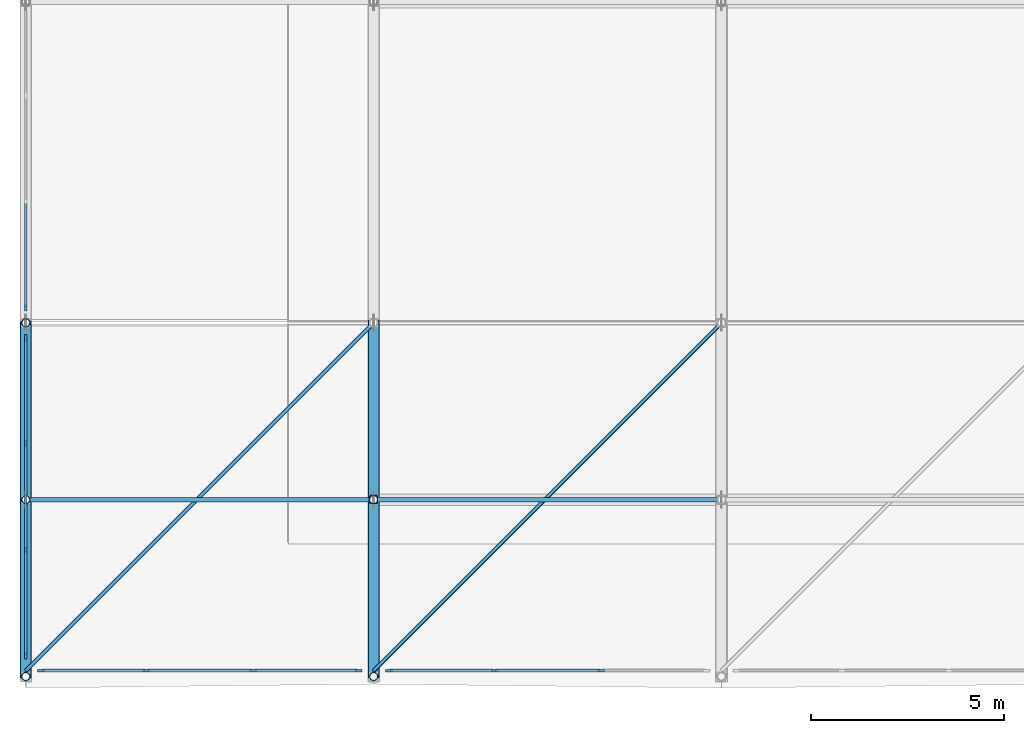
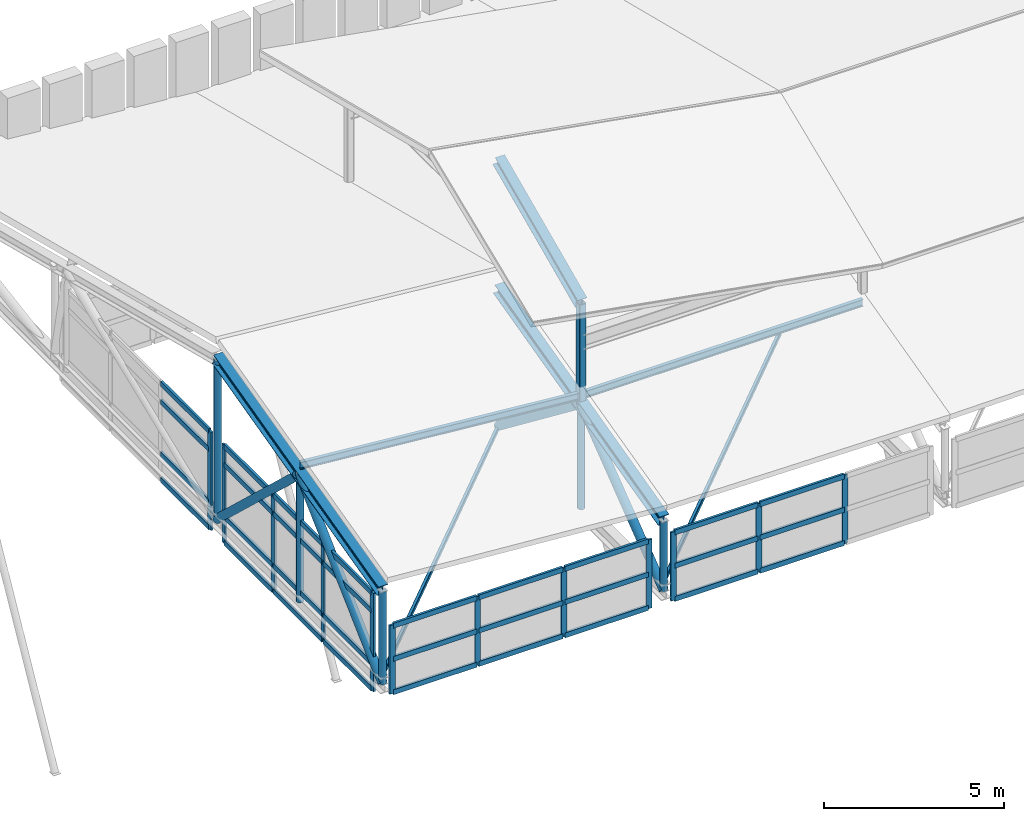
# One storey, part 1 of 42: 60 members, 4 elements without a shape of their own.
"""IFC4 building model written with IfcOpenShell, lengths in metres."""

from ifc_helpers import new_model, si_unit, direction, frame, origin, origin_2d, place, context, subcontext, project, spatial, rectangle, hollow_rectangle, hollow_circle, i_section, extrude, material, material_profile, profile_set, type_object, element, aggregate, save


model = new_model("IFC4")

# Units and contexts
model_context = context("Model", 3, precision=1e-05, world=origin(), true_north=direction((0.0, 1.0)))
body_context = subcontext(model_context, "Body", "Model", "MODEL_VIEW")
ifc_project = project(units=[si_unit("LENGTHUNIT", "METRE"), si_unit("AREAUNIT", "SQUARE_METRE"), si_unit("VOLUMEUNIT", "CUBIC_METRE"), si_unit("PLANEANGLEUNIT", "RADIAN"), si_unit("MASSUNIT", "GRAM", prefix="KILO")], contexts=[model_context])

# Site, building, storey
site_placement = place(None, origin())
site = spatial("IfcSite", under=ifc_project, at=site_placement, CompositionType="ELEMENT")
building_placement = place(site_placement, origin())
building = spatial("IfcBuilding", under=site, at=building_placement, Name="Bozkorgan Art Gallery", CompositionType="ELEMENT")
storey_placement = place(building_placement, frame((0.0, 0.0, 28.800048828125)))
storey = spatial("IfcBuildingStorey", under=building, at=storey_placement, Name="RF", CompositionType="ELEMENT", Elevation=28.800048828125)

# Curtain wall, members
ifc_material_1 = material(Name="Anodised Bronze Aluminium", Category="aluminium")
curtain_wall_type_1 = type_object("IfcCurtainWallType", Name="CW-CW-28", PredefinedType="NOTDEFINED", material=ifc_material_1)
curtain_wall_1_placement = place(storey_placement, origin())
curtain_wall_1 = element("IfcCurtainWall", 1, at=curtain_wall_1_placement, inside=storey, type_object=curtain_wall_type_1, Name="RF unitised curtain wall CW-RF-V1-S-2", PredefinedType="NOTDEFINED")
ifc_material_profile_1 = material_profile(ifc_material_1, rectangle(XDim=0.06494140625, YDim=0.179931640625, at=origin_2d()), Name="ALU MULLION 65x180")
ifc_profile_set_1 = profile_set([ifc_material_profile_1], Name="Anodised Bronze Aluminium")
member_type_1 = type_object("IfcMemberType", Name="CWM-01", PredefinedType="MULLION", material=ifc_profile_set_1)
member_1_placement = place(storey_placement, frame((2.392578125, 2.0, -0.324951171875), z_axis=(0.0, 0.0, 1.0), x_axis=(0.0, 1.0, 0.0)))
member_1 = element("IfcMember", 2, at=member_1_placement, type_object=member_type_1, Name="CW-28 mullion 1", PredefinedType="MULLION", context=body_context, shape_type="SweptSolid", body=[
    extrude(rectangle(XDim=0.06494140625, YDim=0.179931640625, at=origin_2d()), origin(), (0.0, 0.0, 1.0), 2.324951171875),
])
member_2_placement = place(storey_placement, frame((5.1201171875, 2.0, -0.324951171875), z_axis=(0.0, 0.0, 1.0), x_axis=(0.0, 1.0, 0.0)))
member_2 = element("IfcMember", 3, at=member_2_placement, type_object=member_type_1, Name="CW-28 mullion 2", PredefinedType="MULLION", context=body_context, shape_type="SweptSolid", body=[
    extrude(rectangle(XDim=0.06494140625, YDim=0.179931640625, at=origin_2d()), origin(), (0.0, 0.0, 1.0), 2.324951171875),
])
member_3_placement = place(storey_placement, frame((7.8798828125, 2.0, -0.324951171875), z_axis=(0.0, 0.0, 1.0), x_axis=(0.0, 1.0, 0.0)))
member_3 = element("IfcMember", 4, at=member_3_placement, type_object=member_type_1, Name="CW-28 mullion 3", PredefinedType="MULLION", context=body_context, shape_type="SweptSolid", body=[
    extrude(rectangle(XDim=0.06494140625, YDim=0.179931640625, at=origin_2d()), origin(), (0.0, 0.0, 1.0), 2.324951171875),
])
member_4_placement = place(storey_placement, frame((10.607421875, 2.0, -0.324951171875), z_axis=(0.0, 0.0, 1.0), x_axis=(0.0, 1.0, 0.0)))
member_4 = element("IfcMember", 5, at=member_4_placement, type_object=member_type_1, Name="CW-28 mullion 4", PredefinedType="MULLION", context=body_context, shape_type="SweptSolid", body=[
    extrude(rectangle(XDim=0.06494140625, YDim=0.179931640625, at=origin_2d()), origin(), (0.0, 0.0, 1.0), 2.324951171875),
])

curtain_wall_2_placement = place(storey_placement, origin())
curtain_wall_2 = element("IfcCurtainWall", 6, at=curtain_wall_2_placement, inside=storey, type_object=curtain_wall_type_1, Name="RF unitised curtain wall CW-RF-V1-S-11", PredefinedType="NOTDEFINED")
member_5_placement = place(storey_placement, frame((11.392578125, 2.0, -0.324951171875), z_axis=(0.0, 0.0, 1.0), x_axis=(0.0, 1.0, 0.0)))
member_5 = element("IfcMember", 7, at=member_5_placement, type_object=member_type_1, Name="CW-28 mullion 1", PredefinedType="MULLION", context=body_context, shape_type="SweptSolid", body=[
    extrude(rectangle(XDim=0.06494140625, YDim=0.179931640625, at=origin_2d()), origin(), (0.0, 0.0, 1.0), 2.324951171875),
])
member_6_placement = place(storey_placement, frame((14.1201171875, 2.0, -0.324951171875), z_axis=(0.0, 0.0, 1.0), x_axis=(0.0, 1.0, 0.0)))
member_6 = element("IfcMember", 8, at=member_6_placement, type_object=member_type_1, Name="CW-28 mullion 2", PredefinedType="MULLION", context=body_context, shape_type="SweptSolid", body=[
    extrude(rectangle(XDim=0.06494140625, YDim=0.179931640625, at=origin_2d()), origin(), (0.0, 0.0, 1.0), 2.324951171875),
])
member_7_placement = place(storey_placement, frame((16.8798828125, 2.0, -0.324951171875), z_axis=(0.0, 0.0, 1.0), x_axis=(0.0, 1.0, 0.0)))
member_7 = element("IfcMember", 9, at=member_7_placement, type_object=member_type_1, Name="CW-28 mullion 3", PredefinedType="MULLION", context=body_context, shape_type="SweptSolid", body=[
    extrude(rectangle(XDim=0.06494140625, YDim=0.179931640625, at=origin_2d()), origin(), (0.0, 0.0, 1.0), 2.324951171875),
])

curtain_wall_type_2 = type_object("IfcCurtainWallType", Name="CW-CW-62", PredefinedType="NOTDEFINED", material=ifc_material_1)
curtain_wall_3_placement = place(storey_placement, origin())
curtain_wall_3 = element("IfcCurtainWall", 10, at=curtain_wall_3_placement, inside=storey, type_object=curtain_wall_type_2, Name="RF unitised curtain wall CW-RF-V1-W-2", PredefinedType="NOTDEFINED")
member_8_placement = place(storey_placement, frame((2.0, 2.392578125, -0.324951171875), z_axis=(0.0, 0.0, 1.0), x_axis=(-1.0, 0.0, 0.0)))
member_8 = element("IfcMember", 11, at=member_8_placement, type_object=member_type_1, Name="CW-62 mullion 1", PredefinedType="MULLION", context=body_context, shape_type="SweptSolid", body=[
    extrude(rectangle(XDim=0.06494140625, YDim=0.179931640625, at=origin_2d()), origin(), (0.0, 0.0, 1.0), 3.324951171875),
])
member_9_placement = place(storey_placement, frame((2.0, 5.1201171875, -0.324951171875), z_axis=(0.0, 0.0, 1.0), x_axis=(-1.0, 0.0, 0.0)))
member_9 = element("IfcMember", 12, at=member_9_placement, type_object=member_type_1, Name="CW-62 mullion 2", PredefinedType="MULLION", context=body_context, shape_type="SweptSolid", body=[
    extrude(rectangle(XDim=0.06494140625, YDim=0.179931640625, at=origin_2d()), origin(), (0.0, 0.0, 1.0), 3.324951171875),
])
member_10_placement = place(storey_placement, frame((2.0, 7.8798828125, -0.324951171875), z_axis=(0.0, 0.0, 1.0), x_axis=(-1.0, 0.0, 0.0)))
member_10 = element("IfcMember", 13, at=member_10_placement, type_object=member_type_1, Name="CW-62 mullion 3", PredefinedType="MULLION", context=body_context, shape_type="SweptSolid", body=[
    extrude(rectangle(XDim=0.06494140625, YDim=0.179931640625, at=origin_2d()), origin(), (0.0, 0.0, 1.0), 3.324951171875),
])
member_11_placement = place(storey_placement, frame((2.0, 10.607421875, -0.324951171875), z_axis=(0.0, 0.0, 1.0), x_axis=(-1.0, 0.0, 0.0)))
member_11 = element("IfcMember", 14, at=member_11_placement, type_object=member_type_1, Name="CW-62 mullion 4", PredefinedType="MULLION", context=body_context, shape_type="SweptSolid", body=[
    extrude(rectangle(XDim=0.06494140625, YDim=0.179931640625, at=origin_2d()), origin(), (0.0, 0.0, 1.0), 3.324951171875),
])

# Curtain wall, member
curtain_wall_4_placement = place(storey_placement, origin())
curtain_wall_4 = element("IfcCurtainWall", 15, at=curtain_wall_4_placement, inside=storey, type_object=curtain_wall_type_2, Name="RF unitised curtain wall CW-RF-V1-W-11", PredefinedType="NOTDEFINED")
member_12_placement = place(storey_placement, frame((2.0, 11.392578125, -0.324951171875), z_axis=(0.0, 0.0, 1.0), x_axis=(-1.0, 0.0, 0.0)))
member_12 = element("IfcMember", 16, at=member_12_placement, type_object=member_type_1, Name="CW-62 mullion 1", PredefinedType="MULLION", context=body_context, shape_type="SweptSolid", body=[
    extrude(rectangle(XDim=0.06494140625, YDim=0.179931640625, at=origin_2d()), origin(), (0.0, 0.0, 1.0), 3.324951171875),
])

# Member
ifc_material_profile_2 = material_profile(ifc_material_1, rectangle(XDim=0.074951171875, YDim=0.169921875, at=origin_2d()), Name="ALU TRANSOM 75x170")
ifc_profile_set_2 = profile_set([ifc_material_profile_2], Name="Anodised Bronze Aluminium")
member_type_2 = type_object("IfcMemberType", Name="CWT-02", PredefinedType="USERDEFINED", material=ifc_profile_set_2)
member_13_placement = place(storey_placement, frame((2.425048828125, 2.0, -0.28759765625), z_axis=(1.0, 0.0, 0.0), x_axis=(0.0, 1.0, 0.0)))
member_13 = element("IfcMember", 17, at=member_13_placement, type_object=member_type_2, Name="CW-28 transom 1.1", ObjectType="TRANSOM", PredefinedType="USERDEFINED", context=body_context, shape_type="SweptSolid", body=[
    extrude(rectangle(XDim=0.074951171875, YDim=0.169921875, at=origin_2d()), origin(), (0.0, 0.0, 1.0), 2.662353515625),
])

member_14_placement = place(storey_placement, frame((2.425048828125, 2.0, 0.837890625), z_axis=(1.0, 0.0, 0.0), x_axis=(0.0, 1.0, 0.0)))
member_14 = element("IfcMember", 18, at=member_14_placement, type_object=member_type_2, Name="CW-28 transom 1.2", ObjectType="TRANSOM", PredefinedType="USERDEFINED", context=body_context, shape_type="SweptSolid", body=[
    extrude(rectangle(XDim=0.074951171875, YDim=0.169921875, at=origin_2d()), origin(), (0.0, 0.0, 1.0), 2.662353515625),
])

member_15_placement = place(storey_placement, frame((2.425048828125, 2.0, 1.96240234375), z_axis=(1.0, 0.0, 0.0), x_axis=(0.0, 1.0, 0.0)))
member_15 = element("IfcMember", 19, at=member_15_placement, type_object=member_type_2, Name="CW-28 transom 1.3", ObjectType="TRANSOM", PredefinedType="USERDEFINED", context=body_context, shape_type="SweptSolid", body=[
    extrude(rectangle(XDim=0.074951171875, YDim=0.169921875, at=origin_2d()), origin(), (0.0, 0.0, 1.0), 2.662353515625),
])

member_16_placement = place(storey_placement, frame((5.152587890625, 2.0, -0.28759765625), z_axis=(1.0, 0.0, 0.0), x_axis=(0.0, 1.0, 0.0)))
member_16 = element("IfcMember", 20, at=member_16_placement, type_object=member_type_2, Name="CW-28 transom 2.1", ObjectType="TRANSOM", PredefinedType="USERDEFINED", context=body_context, shape_type="SweptSolid", body=[
    extrude(rectangle(XDim=0.074951171875, YDim=0.169921875, at=origin_2d()), origin(), (0.0, 0.0, 1.0), 2.69482421875),
])

member_17_placement = place(storey_placement, frame((5.152587890625, 2.0, 0.837890625), z_axis=(1.0, 0.0, 0.0), x_axis=(0.0, 1.0, 0.0)))
member_17 = element("IfcMember", 21, at=member_17_placement, type_object=member_type_2, Name="CW-28 transom 2.2", ObjectType="TRANSOM", PredefinedType="USERDEFINED", context=body_context, shape_type="SweptSolid", body=[
    extrude(rectangle(XDim=0.074951171875, YDim=0.169921875, at=origin_2d()), origin(), (0.0, 0.0, 1.0), 2.69482421875),
])

member_18_placement = place(storey_placement, frame((5.152587890625, 2.0, 1.96240234375), z_axis=(1.0, 0.0, 0.0), x_axis=(0.0, 1.0, 0.0)))
member_18 = element("IfcMember", 22, at=member_18_placement, type_object=member_type_2, Name="CW-28 transom 2.3", ObjectType="TRANSOM", PredefinedType="USERDEFINED", context=body_context, shape_type="SweptSolid", body=[
    extrude(rectangle(XDim=0.074951171875, YDim=0.169921875, at=origin_2d()), origin(), (0.0, 0.0, 1.0), 2.69482421875),
])

member_19_placement = place(storey_placement, frame((7.91259765625, 2.0, -0.28759765625), z_axis=(1.0, 0.0, 0.0), x_axis=(0.0, 1.0, 0.0)))
member_19 = element("IfcMember", 23, at=member_19_placement, type_object=member_type_2, Name="CW-28 transom 3.1", ObjectType="TRANSOM", PredefinedType="USERDEFINED", context=body_context, shape_type="SweptSolid", body=[
    extrude(rectangle(XDim=0.074951171875, YDim=0.169921875, at=origin_2d()), origin(), (0.0, 0.0, 1.0), 2.662353515625),
])

member_20_placement = place(storey_placement, frame((7.91259765625, 2.0, 0.837890625), z_axis=(1.0, 0.0, 0.0), x_axis=(0.0, 1.0, 0.0)))
member_20 = element("IfcMember", 24, at=member_20_placement, type_object=member_type_2, Name="CW-28 transom 3.2", ObjectType="TRANSOM", PredefinedType="USERDEFINED", context=body_context, shape_type="SweptSolid", body=[
    extrude(rectangle(XDim=0.074951171875, YDim=0.169921875, at=origin_2d()), origin(), (0.0, 0.0, 1.0), 2.662353515625),
])

member_21_placement = place(storey_placement, frame((7.91259765625, 2.0, 1.96240234375), z_axis=(1.0, 0.0, 0.0), x_axis=(0.0, 1.0, 0.0)))
member_21 = element("IfcMember", 25, at=member_21_placement, type_object=member_type_2, Name="CW-28 transom 3.3", ObjectType="TRANSOM", PredefinedType="USERDEFINED", context=body_context, shape_type="SweptSolid", body=[
    extrude(rectangle(XDim=0.074951171875, YDim=0.169921875, at=origin_2d()), origin(), (0.0, 0.0, 1.0), 2.662353515625),
])

aggregate(curtain_wall_1, [member_1, member_2, member_3, member_4, member_13, member_14, member_15, member_16, member_17, member_18, member_19, member_20, member_21])

member_22_placement = place(storey_placement, frame((11.425048828125, 2.0, -0.28759765625), z_axis=(1.0, 0.0, 0.0), x_axis=(0.0, 1.0, 0.0)))
member_22 = element("IfcMember", 26, at=member_22_placement, type_object=member_type_2, Name="CW-28 transom 1.1", ObjectType="TRANSOM", PredefinedType="USERDEFINED", context=body_context, shape_type="SweptSolid", body=[
    extrude(rectangle(XDim=0.074951171875, YDim=0.169921875, at=origin_2d()), origin(), (0.0, 0.0, 1.0), 2.662353515625),
])

member_23_placement = place(storey_placement, frame((11.425048828125, 2.0, 0.837890625), z_axis=(1.0, 0.0, 0.0), x_axis=(0.0, 1.0, 0.0)))
member_23 = element("IfcMember", 27, at=member_23_placement, type_object=member_type_2, Name="CW-28 transom 1.2", ObjectType="TRANSOM", PredefinedType="USERDEFINED", context=body_context, shape_type="SweptSolid", body=[
    extrude(rectangle(XDim=0.074951171875, YDim=0.169921875, at=origin_2d()), origin(), (0.0, 0.0, 1.0), 2.662353515625),
])

member_24_placement = place(storey_placement, frame((11.425048828125, 2.0, 1.96240234375), z_axis=(1.0, 0.0, 0.0), x_axis=(0.0, 1.0, 0.0)))
member_24 = element("IfcMember", 28, at=member_24_placement, type_object=member_type_2, Name="CW-28 transom 1.3", ObjectType="TRANSOM", PredefinedType="USERDEFINED", context=body_context, shape_type="SweptSolid", body=[
    extrude(rectangle(XDim=0.074951171875, YDim=0.169921875, at=origin_2d()), origin(), (0.0, 0.0, 1.0), 2.662353515625),
])

member_25_placement = place(storey_placement, frame((14.152587890625, 2.0, -0.28759765625), z_axis=(1.0, 0.0, 0.0), x_axis=(0.0, 1.0, 0.0)))
member_25 = element("IfcMember", 29, at=member_25_placement, type_object=member_type_2, Name="CW-28 transom 2.1", ObjectType="TRANSOM", PredefinedType="USERDEFINED", context=body_context, shape_type="SweptSolid", body=[
    extrude(rectangle(XDim=0.074951171875, YDim=0.169921875, at=origin_2d()), origin(), (0.0, 0.0, 1.0), 2.69482421875),
])

member_26_placement = place(storey_placement, frame((14.152587890625, 2.0, 0.837890625), z_axis=(1.0, 0.0, 0.0), x_axis=(0.0, 1.0, 0.0)))
member_26 = element("IfcMember", 30, at=member_26_placement, type_object=member_type_2, Name="CW-28 transom 2.2", ObjectType="TRANSOM", PredefinedType="USERDEFINED", context=body_context, shape_type="SweptSolid", body=[
    extrude(rectangle(XDim=0.074951171875, YDim=0.169921875, at=origin_2d()), origin(), (0.0, 0.0, 1.0), 2.69482421875),
])

member_27_placement = place(storey_placement, frame((14.152587890625, 2.0, 1.96240234375), z_axis=(1.0, 0.0, 0.0), x_axis=(0.0, 1.0, 0.0)))
member_27 = element("IfcMember", 31, at=member_27_placement, type_object=member_type_2, Name="CW-28 transom 2.3", ObjectType="TRANSOM", PredefinedType="USERDEFINED", context=body_context, shape_type="SweptSolid", body=[
    extrude(rectangle(XDim=0.074951171875, YDim=0.169921875, at=origin_2d()), origin(), (0.0, 0.0, 1.0), 2.69482421875),
])

aggregate(curtain_wall_2, [member_5, member_6, member_7, member_22, member_23, member_24, member_25, member_26, member_27])

member_28_placement = place(storey_placement, frame((2.0, 2.425048828125, -0.28759765625), z_axis=(0.0, 1.0, 0.0), x_axis=(-1.0, 0.0, 0.0)))
member_28 = element("IfcMember", 32, at=member_28_placement, type_object=member_type_2, Name="CW-62 transom 1.1", ObjectType="TRANSOM", PredefinedType="USERDEFINED", context=body_context, shape_type="SweptSolid", body=[
    extrude(rectangle(XDim=0.074951171875, YDim=0.169921875, at=origin_2d()), origin(), (0.0, 0.0, 1.0), 2.662353515625),
])

member_29_placement = place(storey_placement, frame((2.0, 2.425048828125, 0.574951171875), z_axis=(0.0, 1.0, 0.0), x_axis=(-1.0, 0.0, 0.0)))
member_29 = element("IfcMember", 33, at=member_29_placement, type_object=member_type_2, Name="CW-62 transom 1.2", ObjectType="TRANSOM", PredefinedType="USERDEFINED", context=body_context, shape_type="SweptSolid", body=[
    extrude(rectangle(XDim=0.074951171875, YDim=0.169921875, at=origin_2d()), origin(), (0.0, 0.0, 1.0), 2.662353515625),
])

member_30_placement = place(storey_placement, frame((2.0, 2.425048828125, 2.349853515625), z_axis=(0.0, 1.0, 0.0), x_axis=(-1.0, 0.0, 0.0)))
member_30 = element("IfcMember", 34, at=member_30_placement, type_object=member_type_2, Name="CW-62 transom 1.3", ObjectType="TRANSOM", PredefinedType="USERDEFINED", context=body_context, shape_type="SweptSolid", body=[
    extrude(rectangle(XDim=0.074951171875, YDim=0.169921875, at=origin_2d()), origin(), (0.0, 0.0, 1.0), 2.662353515625),
])

member_31_placement = place(storey_placement, frame((2.0, 2.425048828125, 2.96240234375), z_axis=(0.0, 1.0, 0.0), x_axis=(-1.0, 0.0, 0.0)))
member_31 = element("IfcMember", 35, at=member_31_placement, type_object=member_type_2, Name="CW-62 transom 1.4", ObjectType="TRANSOM", PredefinedType="USERDEFINED", context=body_context, shape_type="SweptSolid", body=[
    extrude(rectangle(XDim=0.074951171875, YDim=0.169921875, at=origin_2d()), origin(), (0.0, 0.0, 1.0), 2.662353515625),
])

member_32_placement = place(storey_placement, frame((2.0, 5.152587890625, -0.28759765625), z_axis=(0.0, 1.0, 0.0), x_axis=(-1.0, 0.0, 0.0)))
member_32 = element("IfcMember", 36, at=member_32_placement, type_object=member_type_2, Name="CW-62 transom 2.1", ObjectType="TRANSOM", PredefinedType="USERDEFINED", context=body_context, shape_type="SweptSolid", body=[
    extrude(rectangle(XDim=0.074951171875, YDim=0.169921875, at=origin_2d()), origin(), (0.0, 0.0, 1.0), 2.69482421875),
])

member_33_placement = place(storey_placement, frame((2.0, 5.152587890625, 0.574951171875), z_axis=(0.0, 1.0, 0.0), x_axis=(-1.0, 0.0, 0.0)))
member_33 = element("IfcMember", 37, at=member_33_placement, type_object=member_type_2, Name="CW-62 transom 2.2", ObjectType="TRANSOM", PredefinedType="USERDEFINED", context=body_context, shape_type="SweptSolid", body=[
    extrude(rectangle(XDim=0.074951171875, YDim=0.169921875, at=origin_2d()), origin(), (0.0, 0.0, 1.0), 2.69482421875),
])

member_34_placement = place(storey_placement, frame((2.0, 5.152587890625, 2.349853515625), z_axis=(0.0, 1.0, 0.0), x_axis=(-1.0, 0.0, 0.0)))
member_34 = element("IfcMember", 38, at=member_34_placement, type_object=member_type_2, Name="CW-62 transom 2.3", ObjectType="TRANSOM", PredefinedType="USERDEFINED", context=body_context, shape_type="SweptSolid", body=[
    extrude(rectangle(XDim=0.074951171875, YDim=0.169921875, at=origin_2d()), origin(), (0.0, 0.0, 1.0), 2.69482421875),
])

member_35_placement = place(storey_placement, frame((2.0, 5.152587890625, 2.96240234375), z_axis=(0.0, 1.0, 0.0), x_axis=(-1.0, 0.0, 0.0)))
member_35 = element("IfcMember", 39, at=member_35_placement, type_object=member_type_2, Name="CW-62 transom 2.4", ObjectType="TRANSOM", PredefinedType="USERDEFINED", context=body_context, shape_type="SweptSolid", body=[
    extrude(rectangle(XDim=0.074951171875, YDim=0.169921875, at=origin_2d()), origin(), (0.0, 0.0, 1.0), 2.69482421875),
])

member_36_placement = place(storey_placement, frame((2.0, 7.91259765625, -0.28759765625), z_axis=(0.0, 1.0, 0.0), x_axis=(-1.0, 0.0, 0.0)))
member_36 = element("IfcMember", 40, at=member_36_placement, type_object=member_type_2, Name="CW-62 transom 3.1", ObjectType="TRANSOM", PredefinedType="USERDEFINED", context=body_context, shape_type="SweptSolid", body=[
    extrude(rectangle(XDim=0.074951171875, YDim=0.169921875, at=origin_2d()), origin(), (0.0, 0.0, 1.0), 2.662353515625),
])

member_37_placement = place(storey_placement, frame((2.0, 7.91259765625, 0.574951171875), z_axis=(0.0, 1.0, 0.0), x_axis=(-1.0, 0.0, 0.0)))
member_37 = element("IfcMember", 41, at=member_37_placement, type_object=member_type_2, Name="CW-62 transom 3.2", ObjectType="TRANSOM", PredefinedType="USERDEFINED", context=body_context, shape_type="SweptSolid", body=[
    extrude(rectangle(XDim=0.074951171875, YDim=0.169921875, at=origin_2d()), origin(), (0.0, 0.0, 1.0), 2.662353515625),
])

member_38_placement = place(storey_placement, frame((2.0, 7.91259765625, 2.349853515625), z_axis=(0.0, 1.0, 0.0), x_axis=(-1.0, 0.0, 0.0)))
member_38 = element("IfcMember", 42, at=member_38_placement, type_object=member_type_2, Name="CW-62 transom 3.3", ObjectType="TRANSOM", PredefinedType="USERDEFINED", context=body_context, shape_type="SweptSolid", body=[
    extrude(rectangle(XDim=0.074951171875, YDim=0.169921875, at=origin_2d()), origin(), (0.0, 0.0, 1.0), 2.662353515625),
])

member_39_placement = place(storey_placement, frame((2.0, 7.91259765625, 2.96240234375), z_axis=(0.0, 1.0, 0.0), x_axis=(-1.0, 0.0, 0.0)))
member_39 = element("IfcMember", 43, at=member_39_placement, type_object=member_type_2, Name="CW-62 transom 3.4", ObjectType="TRANSOM", PredefinedType="USERDEFINED", context=body_context, shape_type="SweptSolid", body=[
    extrude(rectangle(XDim=0.074951171875, YDim=0.169921875, at=origin_2d()), origin(), (0.0, 0.0, 1.0), 2.662353515625),
])

aggregate(curtain_wall_3, [member_8, member_9, member_10, member_11, member_28, member_29, member_30, member_31, member_32, member_33, member_34, member_35, member_36, member_37, member_38, member_39])

member_40_placement = place(storey_placement, frame((2.0, 11.425048828125, -0.28759765625), z_axis=(0.0, 1.0, 0.0), x_axis=(-1.0, 0.0, 0.0)))
member_40 = element("IfcMember", 44, at=member_40_placement, type_object=member_type_2, Name="CW-62 transom 1.1", ObjectType="TRANSOM", PredefinedType="USERDEFINED", context=body_context, shape_type="SweptSolid", body=[
    extrude(rectangle(XDim=0.074951171875, YDim=0.169921875, at=origin_2d()), origin(), (0.0, 0.0, 1.0), 2.662353515625),
])

member_41_placement = place(storey_placement, frame((2.0, 11.425048828125, 0.574951171875), z_axis=(0.0, 1.0, 0.0), x_axis=(-1.0, 0.0, 0.0)))
member_41 = element("IfcMember", 45, at=member_41_placement, type_object=member_type_2, Name="CW-62 transom 1.2", ObjectType="TRANSOM", PredefinedType="USERDEFINED", context=body_context, shape_type="SweptSolid", body=[
    extrude(rectangle(XDim=0.074951171875, YDim=0.169921875, at=origin_2d()), origin(), (0.0, 0.0, 1.0), 2.662353515625),
])

member_42_placement = place(storey_placement, frame((2.0, 11.425048828125, 2.349853515625), z_axis=(0.0, 1.0, 0.0), x_axis=(-1.0, 0.0, 0.0)))
member_42 = element("IfcMember", 46, at=member_42_placement, type_object=member_type_2, Name="CW-62 transom 1.3", ObjectType="TRANSOM", PredefinedType="USERDEFINED", context=body_context, shape_type="SweptSolid", body=[
    extrude(rectangle(XDim=0.074951171875, YDim=0.169921875, at=origin_2d()), origin(), (0.0, 0.0, 1.0), 2.662353515625),
])

member_43_placement = place(storey_placement, frame((2.0, 11.425048828125, 2.96240234375), z_axis=(0.0, 1.0, 0.0), x_axis=(-1.0, 0.0, 0.0)))
member_43 = element("IfcMember", 47, at=member_43_placement, type_object=member_type_2, Name="CW-62 transom 1.4", ObjectType="TRANSOM", PredefinedType="USERDEFINED", context=body_context, shape_type="SweptSolid", body=[
    extrude(rectangle(XDim=0.074951171875, YDim=0.169921875, at=origin_2d()), origin(), (0.0, 0.0, 1.0), 2.662353515625),
])

aggregate(curtain_wall_4, [member_12, member_40, member_41, member_42, member_43])

# Members
ifc_material_2 = material(Name="Steel S355J2", Category="steel")
ifc_material_profile_3 = material_profile(ifc_material_2, hollow_rectangle(XDim=0.219970703125, YDim=0.219970703125, WallThickness=0.012451171875, InnerFilletRadius=0.018798828125, OuterFilletRadius=0.03125, at=origin_2d()), Name="SHS 220x220x12.5")
ifc_profile_set_3 = profile_set([ifc_material_profile_3], Name="Steel S355J2")
member_type_3 = type_object("IfcMemberType", Name="MEMBER-CP-34", PredefinedType="POST", material=ifc_profile_set_3)
member_44_placement = place(storey_placement, frame((11.0, 6.425048828125, 3.76953125), z_axis=(0.0, 0.0, 1.0), x_axis=(1.0, 0.0, 0.0)))
element("IfcMember", 48, at=member_44_placement, inside=storey, type_object=member_type_3, Name="V1 upper clerestory truss post 1S", PredefinedType="POST", context=body_context, shape_type="SweptSolid", body=[
    extrude(hollow_rectangle(XDim=0.219970703125, YDim=0.219970703125, WallThickness=0.012451171875, InnerFilletRadius=0.018798828125, OuterFilletRadius=0.03125, at=origin_2d()), origin(), (0.0, 0.0, 1.0), 3.4208984375),
])
ifc_material_profile_4 = material_profile(ifc_material_2, i_section(OverallWidth=0.1201171875, OverallDepth=0.239990234375, WebThickness=0.006103515625, FlangeThickness=0.009765625, FilletRadius=0.014892578125, at=origin_2d()), Name="IPE 240")
ifc_profile_set_4 = profile_set([ifc_material_profile_4], Name="Steel S355J2")
member_type_4 = type_object("IfcMemberType", Name="MEMBER-PR-34", PredefinedType="PURLIN", material=ifc_profile_set_4)
member_45_placement = place(storey_placement, frame((2.0, 6.425048828125, 4.84326171875), z_axis=(0.996276805455, 0.0, -0.086212104205), x_axis=(0.0, 1.0, 0.0)))
element("IfcMember", 49, at=member_45_placement, inside=storey, type_object=member_type_4, Name="ROOF-V1-MAIN roof purlin 1S", PredefinedType="PURLIN", context=body_context, shape_type="SweptSolid", body=[
    extrude(i_section(OverallWidth=0.1201171875, OverallDepth=0.239990234375, WebThickness=0.006103515625, FlangeThickness=0.009765625, FilletRadius=0.014892578125, at=origin_2d()), origin(), (0.0, 0.0, 1.0), 9.03369140625),
])
member_46_placement = place(storey_placement, frame((11.0, 6.425048828125, 4.064453125), z_axis=(1.0, 0.0, 0.0), x_axis=(0.0, 1.0, 0.0)))
element("IfcMember", 50, at=member_46_placement, inside=storey, type_object=member_type_4, Name="ROOF-V1-MAIN roof purlin 2S", PredefinedType="PURLIN", context=body_context, shape_type="SweptSolid", body=[
    extrude(i_section(OverallWidth=0.1201171875, OverallDepth=0.239990234375, WebThickness=0.006103515625, FlangeThickness=0.009765625, FilletRadius=0.014892578125, at=origin_2d()), origin(), (0.0, 0.0, 1.0), 9.0),
])
ifc_material_profile_5 = material_profile(ifc_material_2, i_section(OverallWidth=0.300048828125, OverallDepth=0.35009765625, WebThickness=0.010009765625, FlangeThickness=0.017578125, FilletRadius=0.027099609375, at=origin_2d()), Name="HEA 360")
ifc_profile_set_5 = profile_set([ifc_material_profile_5], Name="Steel S355J2")
member_type_5 = type_object("IfcMemberType", Name="MEMBER-TC-31", PredefinedType="CHORD", material=ifc_profile_set_5)
for number, where, z_axis, x_axis, name in (
    (51, (2.0, 1.85009765625, 3.390625), (0.0, 0.969441609257, 0.245322168264), (-1.0, 0.0, 0.0), "ROOF-V1-MAIN roof truss 1 south top chord"),
    (52, (11.0, 1.85009765625, 2.61181640625), (0.0, 0.969441609257, 0.245322168264), (-1.0, 0.0, 0.0), "ROOF-V1-MAIN roof truss 2 south top chord"),
):
    element("IfcMember", number, at=place(storey_placement, frame(where, z_axis=z_axis, x_axis=x_axis)), inside=storey, type_object=member_type_5, Name=name, PredefinedType="CHORD", context=body_context, shape_type="SweptSolid", body=[
        extrude(i_section(OverallWidth=0.300048828125, OverallDepth=0.35009765625, WebThickness=0.010009765625, FlangeThickness=0.017578125, FilletRadius=0.027099609375, at=origin_2d()), origin(), (0.0, 0.0, 1.0), 9.438232421875),
    ])
member_47_placement = place(storey_placement, frame((11.0, 6.425048828125, 7.1904296875), z_axis=(0.0, 0.911110965923, 0.412161142971), x_axis=(-1.0, 0.0, 0.0)))
element("IfcMember", 53, at=member_47_placement, inside=storey, type_object=member_type_5, Name="V1 stacked upper south chord 1", PredefinedType="CHORD", context=body_context, shape_type="SweptSolid", body=[
    extrude(i_section(OverallWidth=0.300048828125, OverallDepth=0.35009765625, WebThickness=0.010009765625, FlangeThickness=0.017578125, FilletRadius=0.027099609375, at=origin_2d()), origin(), (0.0, 0.0, 1.0), 5.021240234375),
])
ifc_material_profile_6 = material_profile(ifc_material_2, hollow_circle(Radius=0.109619140625, WallThickness=0.010009765625, at=origin_2d()), Name="CHS 219.1x10")
ifc_profile_set_6 = profile_set([ifc_material_profile_6], Name="Steel S355J2")
member_type_6 = type_object("IfcMemberType", Name="MEMBER-TP-78", PredefinedType="POST", material=ifc_profile_set_6)
member_48_placement = place(storey_placement, frame((2.0, 1.85009765625, 0.25), z_axis=(0.0, 0.0, 1.0), x_axis=(1.0, 0.0, 0.0)))
element("IfcMember", 54, at=member_48_placement, inside=storey, type_object=member_type_6, Name="ROOF-V1-MAIN roof truss 1 post 0", PredefinedType="POST", context=body_context, shape_type="SweptSolid", body=[
    extrude(hollow_circle(Radius=0.109619140625, WallThickness=0.010009765625, at=origin_2d()), origin(), (0.0, 0.0, 1.0), 3.140625),
])
member_49_placement = place(storey_placement, frame((2.0, 6.425048828125, 0.25), z_axis=(0.0, 0.0, 1.0), x_axis=(1.0, 0.0, 0.0)))
element("IfcMember", 55, at=member_49_placement, inside=storey, type_object=member_type_6, Name="ROOF-V1-MAIN roof truss 1 post 1", PredefinedType="POST", context=body_context, shape_type="SweptSolid", body=[
    extrude(hollow_circle(Radius=0.109619140625, WallThickness=0.010009765625, at=origin_2d()), origin(), (0.0, 0.0, 1.0), 4.29833984375),
])
member_50_placement = place(storey_placement, frame((2.0, 11.0, 0.25), z_axis=(0.0, 0.0, 1.0), x_axis=(1.0, 0.0, 0.0)))
element("IfcMember", 56, at=member_50_placement, inside=storey, type_object=member_type_6, Name="ROOF-V1-MAIN roof truss 1 post 2", PredefinedType="POST", context=body_context, shape_type="SweptSolid", body=[
    extrude(hollow_circle(Radius=0.109619140625, WallThickness=0.010009765625, at=origin_2d()), origin(), (0.0, 0.0, 1.0), 5.4560546875),
])
member_51_placement = place(storey_placement, frame((11.0, 1.85009765625, 0.25), z_axis=(0.0, 0.0, 1.0), x_axis=(1.0, 0.0, 0.0)))
element("IfcMember", 57, at=member_51_placement, inside=storey, type_object=member_type_6, Name="ROOF-V1-MAIN roof truss 2 post 0", PredefinedType="POST", context=body_context, shape_type="SweptSolid", body=[
    extrude(hollow_circle(Radius=0.109619140625, WallThickness=0.010009765625, at=origin_2d()), origin(), (0.0, 0.0, 1.0), 2.36181640625),
])
member_52_placement = place(storey_placement, frame((11.0, 6.425048828125, 0.25), z_axis=(0.0, 0.0, 1.0), x_axis=(1.0, 0.0, 0.0)))
element("IfcMember", 58, at=member_52_placement, inside=storey, type_object=member_type_6, Name="ROOF-V1-MAIN roof truss 2 post 1", PredefinedType="POST", context=body_context, shape_type="SweptSolid", body=[
    extrude(hollow_circle(Radius=0.109619140625, WallThickness=0.010009765625, at=origin_2d()), origin(), (0.0, 0.0, 1.0), 3.51953125),
])
ifc_material_profile_7 = material_profile(ifc_material_2, hollow_circle(Radius=0.136474609375, WallThickness=0.012451171875, at=origin_2d()), Name="CHS 273x12.5")
ifc_profile_set_7 = profile_set([ifc_material_profile_7], Name="Steel S355J2")
member_type_7 = type_object("IfcMemberType", Name="MEMBER-TW-28", PredefinedType="BRACE", material=ifc_profile_set_7)
for number, where, z_axis, x_axis, name in (
    (59, (2.0, 1.85009765625, 0.25), (0.0, 0.728795727129, 0.684731179456), (-1.0, 0.0, 0.0), "ROOF-V1-MAIN roof truss 1 diagonal 1"),
    (60, (2.0, 6.425048828125, 4.54833984375), (0.0, 0.728795727129, -0.684731179456), (-1.0, 0.0, 0.0), "ROOF-V1-MAIN roof truss 1 diagonal 2"),
):
    element("IfcMember", number, at=place(storey_placement, frame(where, z_axis=z_axis, x_axis=x_axis)), inside=storey, type_object=member_type_7, Name=name, PredefinedType="BRACE", context=body_context, shape_type="SweptSolid", body=[
        extrude(hollow_circle(Radius=0.136474609375, WallThickness=0.012451171875, at=origin_2d()), origin(), (0.0, 0.0, 1.0), 6.27734375),
    ])
for number, where, z_axis, x_axis, name in (
    (61, (11.0, 1.85009765625, 0.25), (0.0, 0.792595685704, 0.609747553504), (-1.0, 0.0, 0.0), "ROOF-V1-MAIN roof truss 2 diagonal 1"),
    (62, (11.0, 6.425048828125, 3.76953125), (0.0, 0.792595685704, -0.609747553504), (-1.0, 0.0, 0.0), "ROOF-V1-MAIN roof truss 2 diagonal 2"),
):
    element("IfcMember", number, at=place(storey_placement, frame(where, z_axis=z_axis, x_axis=x_axis)), inside=storey, type_object=member_type_7, Name=name, PredefinedType="BRACE", context=body_context, shape_type="SweptSolid", body=[
        extrude(hollow_circle(Radius=0.136474609375, WallThickness=0.012451171875, at=origin_2d()), origin(), (0.0, 0.0, 1.0), 5.772216796875),
    ])
ifc_material_profile_8 = material_profile(ifc_material_2, hollow_rectangle(XDim=0.10009765625, YDim=0.14990234375, WallThickness=0.008056640625, InnerFilletRadius=0.011962890625, OuterFilletRadius=0.02001953125, at=origin_2d()), Name="RHS 150x100x8")
ifc_profile_set_8 = profile_set([ifc_material_profile_8], Name="Steel S355J2")
member_type_8 = type_object("IfcMemberType", Name="MEMBER-WB-10", PredefinedType="BRACE", material=ifc_profile_set_8)
for number, where, z_axis, x_axis, name in (
    (63, (2.0, 2.0, 0.25), (0.707106781187, 0.707106781187, 0.0), (-0.707106781187, 0.707106781187, 0.0), "ROOF-V1-MAIN roof diaphragm wind brace 1"),
    (64, (11.0, 2.0, 0.25), (0.707106781187, 0.707106781187, 0.0), (-0.707106781187, 0.707106781187, 0.0), "ROOF-V1-MAIN roof diaphragm wind brace 2"),
):
    element("IfcMember", number, at=place(storey_placement, frame(where, z_axis=z_axis, x_axis=x_axis)), inside=storey, type_object=member_type_8, Name=name, PredefinedType="BRACE", context=body_context, shape_type="SweptSolid", body=[
        extrude(hollow_rectangle(XDim=0.10009765625, YDim=0.14990234375, WallThickness=0.008056640625, InnerFilletRadius=0.011962890625, OuterFilletRadius=0.02001953125, at=origin_2d()), origin(), (0.0, 0.0, 1.0), 12.72802734375),
    ])

save(model, "model.ifc")
